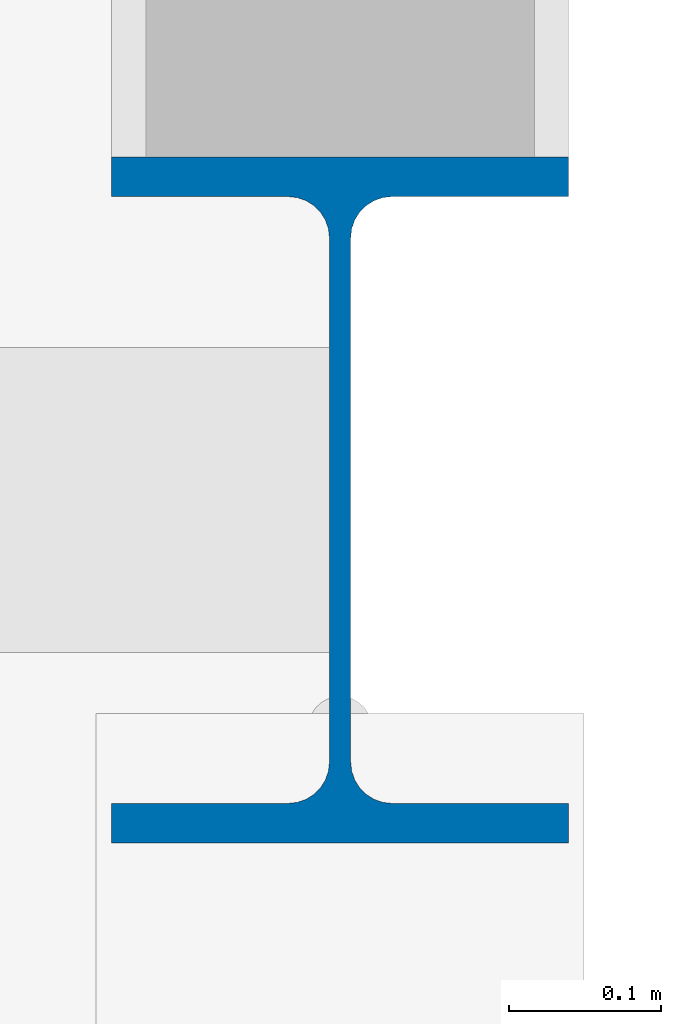
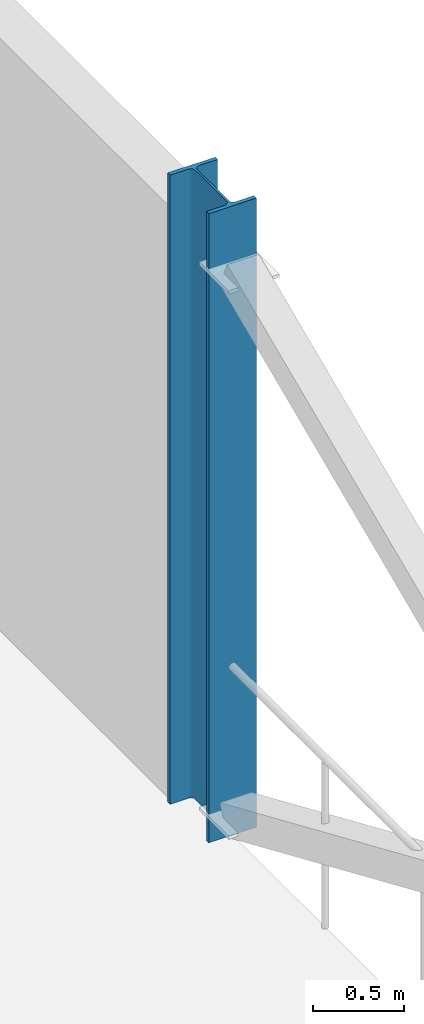
# One storey, part 12 of 88: 1 column.
"""IFC4 building model written with IfcOpenShell, lengths in metres."""

from ifc_helpers import new_model, si_unit, direction, frame, origin, origin_2d, place, context, subcontext, project, spatial, i_section, extrude, material, material_profile, profile_set, type_object, element, save


model = new_model("IFC4")

# Units and contexts
model_context = context("Model", 3, precision=1e-05, world=origin(), true_north=direction((0.0, 1.0)))
body_context = subcontext(model_context, "Body", "Model", "MODEL_VIEW")
ifc_project = project(units=[si_unit("LENGTHUNIT", "METRE"), si_unit("AREAUNIT", "SQUARE_METRE"), si_unit("VOLUMEUNIT", "CUBIC_METRE"), si_unit("PLANEANGLEUNIT", "RADIAN"), si_unit("MASSUNIT", "GRAM", prefix="KILO")], contexts=[model_context])

# Site, building, storey
site_placement = place(None, origin())
site = spatial("IfcSite", under=ifc_project, at=site_placement, CompositionType="ELEMENT")
building_placement = place(site_placement, origin())
building = spatial("IfcBuilding", under=site, at=building_placement, Name="Deido Ridge Mobility Hub", CompositionType="ELEMENT")
storey_placement = place(building_placement, frame((0.0, 0.0, 16.800048828125)))
storey = spatial("IfcBuildingStorey", under=building, at=storey_placement, Name="L04", CompositionType="ELEMENT", Elevation=16.800048828125)

# Column
ifc_material = material(Name="Steel S355J2 EN 10025-2", Category="steel")
ifc_material_profile = material_profile(ifc_material, i_section(OverallWidth=0.300048828125, OverallDepth=0.449951171875, WebThickness=0.013916015625, FlangeThickness=0.02587890625, FilletRadius=0.027099609375, at=origin_2d()), Name="HEB 450")
ifc_profile_set = profile_set([ifc_material_profile], Name="Steel S355J2 EN 10025-2")
column_type = type_object("IfcColumnType", Name="COL-HEB450", PredefinedType="COLUMN", material=ifc_profile_set)
column_placement = place(storey_placement, frame((180.0, 63.0, 0.0), z_axis=(0.0, 0.0, 1.0), x_axis=(1.0, 0.0, 0.0)))
element("IfcColumn", 1, at=column_placement, inside=storey, type_object=column_type, Name="Structural column C6", PredefinedType="COLUMN", context=body_context, shape_type="SweptSolid", body=[
    extrude(i_section(OverallWidth=0.300048828125, OverallDepth=0.449951171875, WebThickness=0.013916015625, FlangeThickness=0.02587890625, FilletRadius=0.027099609375, at=origin_2d()), origin(), (0.0, 0.0, 1.0), 4.199951171875),
])

save(model, "model.ifc")
